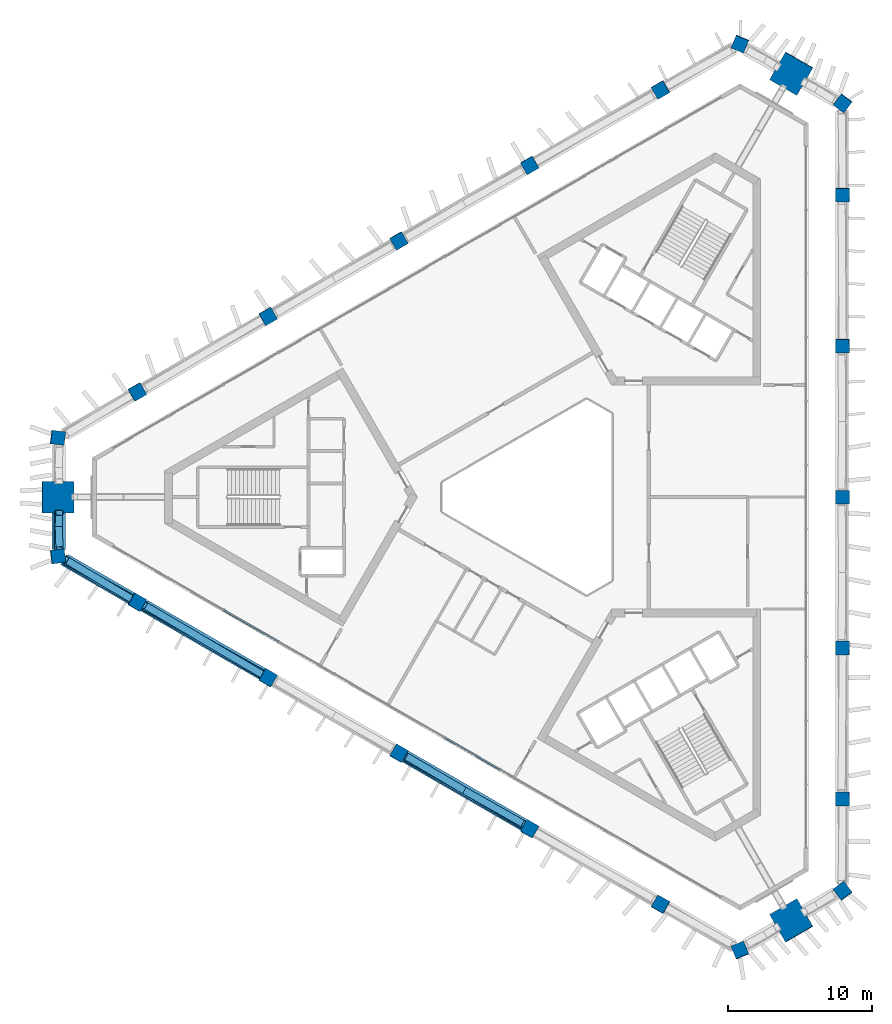
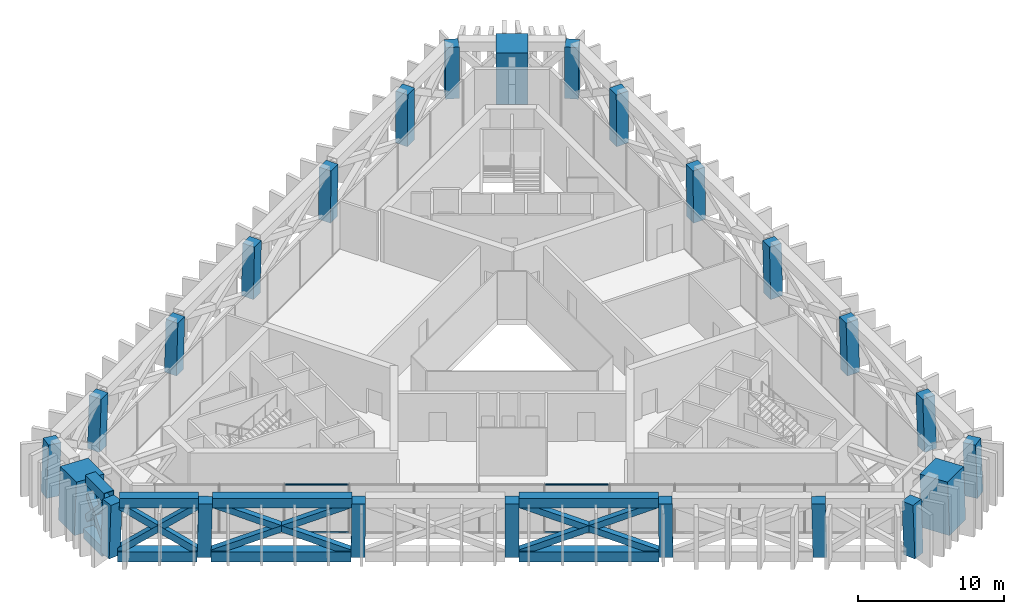
# One storey, part 1 of 15: 24 columns, 20 members, 1 element without a shape of its own.
"""IFC4 building model written with IfcOpenShell, lengths in metres."""

from ifc_helpers import new_model, si_unit, direction, frame, origin, origin_2d, place, context, subcontext, project, spatial, rectangle, hollow_rectangle, extrude, material, layer, layer_set, material_profile, profile_set, type_object, element, aggregate, save


model = new_model("IFC4")

# Units and contexts
model_context = context("Model", 3, precision=1e-05, world=origin(), true_north=direction((0.0, 1.0)))
body_context = subcontext(model_context, "Body", "Model", "MODEL_VIEW")
ifc_project = project(units=[si_unit("LENGTHUNIT", "METRE"), si_unit("AREAUNIT", "SQUARE_METRE"), si_unit("VOLUMEUNIT", "CUBIC_METRE"), si_unit("PLANEANGLEUNIT", "RADIAN"), si_unit("MASSUNIT", "GRAM", prefix="KILO")], contexts=[model_context])

# Site, building, storey
site_placement = place(None, origin())
site = spatial("IfcSite", under=ifc_project, at=site_placement, CompositionType="ELEMENT")
building_placement = place(site_placement, origin())
building = spatial("IfcBuilding", under=site, at=building_placement, Name="Jabali Bay Hotel Tower and Convention Centre", CompositionType="ELEMENT")
storey_placement = place(building_placement, frame((0.0, 0.0, 201.39990234375)))
storey = spatial("IfcBuildingStorey", under=building, at=storey_placement, Name="L49", CompositionType="ELEMENT", Elevation=201.39990234375)

# Columns
ifc_material_1 = material(Name="Concrete C60", Category="concrete")
ifc_material_profile_1 = material_profile(ifc_material_1, rectangle(XDim=0.949951171875, YDim=0.949951171875, at=origin_2d()), Name="Frame column 950")
ifc_profile_set_1 = profile_set([ifc_material_profile_1], Name="Concrete C60")
column_type_1 = type_object("IfcColumnType", Name="Frame column 950", PredefinedType="COLUMN", material=ifc_profile_set_1)
column_1_placement = place(storey_placement, frame((82.912841796875, 108.34326171875, 0.0), z_axis=(-0.008374576728, -0.028118611929, 0.999569512404), x_axis=(0.866035454693, 0.49952834229, 0.021307896754)))
element("IfcColumn", 1, at=column_1_placement, inside=storey, type_object=column_type_1, Name="FC4 F1.1 L49", PredefinedType="COLUMN", context=body_context, shape_type="SweptSolid", body=[
    extrude(rectangle(XDim=0.949951171875, YDim=0.949951171875, at=origin_2d()), origin(), (0.0, 0.0, 1.0), 4.402099609375),
])
column_2_placement = place(storey_placement, frame((73.80908203125, 103.087158203125, 0.0), z_axis=(0.000832053271, -0.022798259613, 0.999739739655), x_axis=(0.866596562917, 0.498895634194, 0.010655670932)))
element("IfcColumn", 2, at=column_2_placement, inside=storey, type_object=column_type_1, Name="FC4 F1.2 L49", PredefinedType="COLUMN", context=body_context, shape_type="SweptSolid", body=[
    extrude(rectangle(XDim=0.949951171875, YDim=0.949951171875, at=origin_2d()), origin(), (0.0, 0.0, 1.0), 4.4013671875),
])
column_3_placement = place(storey_placement, frame((64.705078125, 97.8310546875, 0.0), z_axis=(0.010096151254, -0.017474107939, 0.999796340902), x_axis=(-0.500171963961, 0.865690897347, 0.020181098047)))
element("IfcColumn", 3, at=column_3_placement, inside=storey, type_object=column_type_1, Name="FC4 F1.3 L49", PredefinedType="COLUMN", context=body_context, shape_type="SweptSolid", body=[
    extrude(rectangle(XDim=0.949951171875, YDim=0.949951171875, at=origin_2d()), origin(), (0.0, 0.0, 1.0), 4.401123046875),
])
column_4_placement = place(storey_placement, frame((55.601318359375, 92.574951171875, 0.0), z_axis=(0.019359087748, -0.012147966237, 0.999738792204), x_axis=(-0.500497912901, 0.865501850797, 0.020208548906)))
element("IfcColumn", 4, at=column_4_placement, inside=storey, type_object=column_type_1, Name="FC4 F1.4 L49", PredefinedType="COLUMN", context=body_context, shape_type="SweptSolid", body=[
    extrude(rectangle(XDim=0.949951171875, YDim=0.949951171875, at=origin_2d()), origin(), (0.0, 0.0, 1.0), 4.4013671875),
])
for number, where, z_axis, x_axis, name in (
    (5, (46.49755859375, 87.319091796875, 0.0), (0.028562275974, -0.006821669796, 0.999568737613), (-0.499616200342, 0.866011637616, 0.020186526916), "FC4 F1.5 L49"),
    (6, (46.49755859375, 72.680908203125, 0.0), (0.028562275974, 0.006821669796, 0.999568737613), (-0.865775865191, 0.49997730782, 0.021327046647), "FC4 F2.1 L49"),
):
    element("IfcColumn", number, at=place(storey_placement, frame(where, z_axis=z_axis, x_axis=x_axis)), inside=storey, type_object=column_type_1, Name=name, PredefinedType="COLUMN", context=body_context, shape_type="SweptSolid", body=[
        extrude(rectangle(XDim=0.949951171875, YDim=0.949951171875, at=origin_2d()), origin(), (0.0, 0.0, 1.0), 4.402099609375),
    ])
column_5_placement = place(storey_placement, frame((55.601318359375, 67.425048828125, 0.0), z_axis=(0.019359087748, 0.012147966237, 0.999738792204), x_axis=(-0.865521267736, 0.500758398016, 0.010675294528)))
element("IfcColumn", 7, at=column_5_placement, inside=storey, type_object=column_type_1, Name="FC4 F2.2 L49", PredefinedType="COLUMN", context=body_context, shape_type="SweptSolid", body=[
    extrude(rectangle(XDim=0.949951171875, YDim=0.949951171875, at=origin_2d()), origin(), (0.0, 0.0, 1.0), 4.4013671875),
])
column_6_placement = place(storey_placement, frame((64.705078125, 62.1689453125, 0.0), z_axis=(0.010096151254, 0.017474107939, 0.999796340902), x_axis=(-0.865867238205, 0.500273850809, 8.7352e-08)))
element("IfcColumn", 8, at=column_6_placement, inside=storey, type_object=column_type_1, Name="FC4 F2.3 L49", PredefinedType="COLUMN", context=body_context, shape_type="SweptSolid", body=[
    extrude(rectangle(XDim=0.949951171875, YDim=0.949951171875, at=origin_2d()), origin(), (0.0, 0.0, 1.0), 4.401123046875),
])
column_7_placement = place(storey_placement, frame((73.80908203125, 56.912841796875, 0.0), z_axis=(0.000832053271, 0.022798259613, 0.999739739655), x_axis=(-0.499008722197, -0.866362156111, 0.020172001165)))
element("IfcColumn", 9, at=column_7_placement, inside=storey, type_object=column_type_1, Name="FC4 F2.4 L49", PredefinedType="COLUMN", context=body_context, shape_type="SweptSolid", body=[
    extrude(rectangle(XDim=0.949951171875, YDim=0.949951171875, at=origin_2d()), origin(), (0.0, 0.0, 1.0), 4.4013671875),
])
for number, where, z_axis, x_axis, name in (
    (10, (82.912841796875, 51.65673828125, 0.0), (-0.008374576728, 0.028118611929, 0.999569512404), (-0.499912450015, -0.865841081788, 0.020168376436), "FC4 F2.5 L49"),
    (11, (95.589599609375, 58.975830078125, 0.0), (-0.020187718218, 0.021296933504, 0.999569355601), (0.000515138351, -0.999772747835, 0.02131167095), "FC4 F0.1 L49"),
):
    element("IfcColumn", number, at=place(storey_placement, frame(where, z_axis=z_axis, x_axis=x_axis)), inside=storey, type_object=column_type_1, Name=name, PredefinedType="COLUMN", context=body_context, shape_type="SweptSolid", body=[
        extrude(rectangle(XDim=0.949951171875, YDim=0.949951171875, at=origin_2d()), origin(), (0.0, 0.0, 1.0), 4.402099609375),
    ])
column_8_placement = place(storey_placement, frame((95.589599609375, 69.48779296875, 0.0), z_axis=(-0.020191140758, 0.010705742215, 0.999738818351), x_axis=(-0.00164635405, -0.999941668832, 0.010674663997)))
element("IfcColumn", 12, at=column_8_placement, inside=storey, type_object=column_type_1, Name="FC4 F0.2 L49", PredefinedType="COLUMN", context=body_context, shape_type="SweptSolid", body=[
    extrude(rectangle(XDim=0.949951171875, YDim=0.949951171875, at=origin_2d()), origin(), (0.0, 0.0, 1.0), 4.4013671875),
])
column_9_placement = place(storey_placement, frame((95.589599609375, 80.0, 0.0), z_axis=(-0.02019229794, 0.0, 0.999796114767), x_axis=(0.0, -1.0, 0.0)))
element("IfcColumn", 13, at=column_9_placement, inside=storey, type_object=column_type_1, Name="FC4 F0.3 L49", PredefinedType="COLUMN", context=body_context, shape_type="SweptSolid", body=[
    extrude(rectangle(XDim=0.949951171875, YDim=0.949951171875, at=origin_2d()), origin(), (0.0, 0.0, 1.0), 4.401123046875),
])
column_10_placement = place(storey_placement, frame((95.589599609375, 90.51220703125, 0.0), z_axis=(-0.020191140758, -0.010705742215, 0.999738818351), x_axis=(0.99979478262, 0.001430390409, 0.020207588427)))
element("IfcColumn", 14, at=column_10_placement, inside=storey, type_object=column_type_1, Name="FC4 F0.4 L49", PredefinedType="COLUMN", context=body_context, shape_type="SweptSolid", body=[
    extrude(rectangle(XDim=0.949951171875, YDim=0.949951171875, at=origin_2d()), origin(), (0.0, 0.0, 1.0), 4.4013671875),
])
column_11_placement = place(storey_placement, frame((95.589599609375, 101.024169921875, 0.0), z_axis=(-0.020187718218, -0.021296933504, 0.999569355601), x_axis=(0.99979607454, -0.000945150517, 0.020172159648)))
element("IfcColumn", 15, at=column_11_placement, inside=storey, type_object=column_type_1, Name="FC4 F0.5 L49", PredefinedType="COLUMN", context=body_context, shape_type="SweptSolid", body=[
    extrude(rectangle(XDim=0.949951171875, YDim=0.949951171875, at=origin_2d()), origin(), (0.0, 0.0, 1.0), 4.402099609375),
])
for number, where, z_axis, x_axis, name in (
    (16, (95.589599609375, 52.589599609375, 0.0), (-0.020183805084, 0.029000357304, 0.999375601708), (-0.799448268802, -0.600733560515, 0.001286383083), "FC4 V0 L49"),
    (17, (95.589599609375, 107.410400390625, 0.0), (-0.020183805084, -0.029000357304, 0.999375601708), (0.600395769074, 0.798923130562, 0.035309374534), "FC4 V1 L49"),
    (18, (88.443359375, 111.536376953125, 0.0), (-0.015026945815, -0.031994641089, 0.999375071653), (0.920007055918, -0.391899681887, 0.001287010803), "FC4 V2 L49"),
    (19, (40.967041015625, 84.1259765625, 0.0), (0.035210752589, -0.00299430022, 0.999375423486), (-0.992036236395, 0.12090077736, 0.035314412256), "FC4 V3 L49"),
    (20, (40.967041015625, 75.8740234375, 0.0), (0.035210752589, 0.00299430022, 0.999375423486), (-0.120931007526, 0.992660080894, 0.001286553038), "FC4 V4 L49"),
    (21, (88.443359375, 48.463623046875, 0.0), (-0.015026945815, 0.031994641089, 0.999375071653), (0.391613595218, -0.919451457271, 0.035324350838), "FC4 V5 L49"),
):
    element("IfcColumn", number, at=place(storey_placement, frame(where, z_axis=z_axis, x_axis=x_axis)), inside=storey, type_object=column_type_1, Name=name, PredefinedType="COLUMN", context=body_context, shape_type="SweptSolid", body=[
        extrude(rectangle(XDim=0.949951171875, YDim=0.949951171875, at=origin_2d()), origin(), (0.0, 0.0, 1.0), 4.40283203125),
    ])
ifc_material_2 = material(Name="Concrete C70", Category="concrete")
ifc_material_profile_2 = material_profile(ifc_material_2, rectangle(XDim=2.199951171875, YDim=2.199951171875, at=origin_2d()), Name="Mega column 2200")
ifc_profile_set_2 = profile_set([ifc_material_profile_2], Name="Concrete C70")
column_type_2 = type_object("IfcColumnType", Name="Mega column 2200", PredefinedType="COLUMN", material=ifc_profile_set_2)
for number, where, z_axis, x_axis, name in (
    (22, (92.0166015625, 109.473388671875, 0.0), (-0.017633169529, -0.030497620254, 0.999379290606), (0.500230591094, 0.865175313, 0.035228305505), "MC4 M1 L49"),
    (23, (40.967041015625, 80.0, 0.0), (0.035210910437, 0.0, 0.999379903633), (0.0, 1.0, 0.0), "MC4 M0 L49"),
    (24, (92.0166015625, 50.526611328125, 0.0), (-0.017633169529, 0.030497620254, 0.999379290606), (0.500227795827, -0.865176929173, 0.035228305505), "MC4 M2 L49"),
):
    element("IfcColumn", number, at=place(storey_placement, frame(where, z_axis=z_axis, x_axis=x_axis)), inside=storey, type_object=column_type_2, Name=name, PredefinedType="COLUMN", context=body_context, shape_type="SweptSolid", body=[
        extrude(rectangle(XDim=2.199951171875, YDim=2.199951171875, at=origin_2d()), origin(), (0.0, 0.0, 1.0), 4.40283203125),
    ])

# Members
ifc_material_3 = material(Name="Steel Q420GJC", Category="steel")
ifc_material_profile_3 = material_profile(ifc_material_3, hollow_rectangle(XDim=0.5, YDim=0.5, WallThickness=0.030029296875, at=origin_2d()), Name="Belt brace 500x500x30")
ifc_profile_set_3 = profile_set([ifc_material_profile_3], Name="Steel Q420GJC")
member_type_1 = type_object("IfcMemberType", Name="Belt brace 500x500x30", PredefinedType="BRACE", material=ifc_profile_set_3)
member_1_placement = place(storey_placement, frame((41.008544921875, 78.90087890625, 1.176025390625), z_axis=(0.025664835143, -0.682645231432, 0.730299119704), x_axis=(0.999294012939, 0.037569611448, 0.0)))
element("IfcMember", 25, at=member_1_placement, inside=storey, type_object=member_type_1, Name="Belt brace T4 M0-V4 x1", PredefinedType="BRACE", context=body_context, shape_type="SweptSolid", body=[
    extrude(hollow_rectangle(XDim=0.5, YDim=0.5, WallThickness=0.030029296875, at=origin_2d()), origin(), (0.0, 0.0, 1.0), 3.719482421875),
])
member_2_placement = place(storey_placement, frame((40.98486328125, 76.348876953125, 0.50634765625), z_axis=(0.025709058742, 0.683808628576, 0.729208340451), x_axis=(-0.999293986366, 0.037570318248, 0.0)))
element("IfcMember", 26, at=member_2_placement, inside=storey, type_object=member_type_1, Name="Belt brace T4 M0-V4 x2", PredefinedType="BRACE", context=body_context, shape_type="SweptSolid", body=[
    extrude(hollow_rectangle(XDim=0.5, YDim=0.5, WallThickness=0.030029296875, at=origin_2d()), origin(), (0.0, 0.0, 1.0), 3.73193359375),
])
member_3_placement = place(storey_placement, frame((41.381591796875, 75.642333984375, 0.322509765625), z_axis=(0.722084787714, -0.403807985927, 0.561722947594), x_axis=(0.488088462161, 0.872794164225, 0.0)))
element("IfcMember", 27, at=member_3_placement, inside=storey, type_object=member_type_1, Name="Belt brace T4 V4-F2.1 x1", PredefinedType="BRACE", context=body_context, shape_type="SweptSolid", body=[
    extrude(hollow_rectangle(XDim=0.5, YDim=0.5, WallThickness=0.030029296875, at=origin_2d()), origin(), (0.0, 0.0, 1.0), 6.68505859375),
])
member_4_placement = place(storey_placement, frame((46.089599609375, 72.92431640625, 0.333984375), z_axis=(-0.702600609543, 0.419054839885, 0.575104707543), x_axis=(-0.512242002327, -0.858841155891, 0.0)))
element("IfcMember", 28, at=member_4_placement, inside=storey, type_object=member_type_1, Name="Belt brace T4 V4-F2.1 x2", PredefinedType="BRACE", context=body_context, shape_type="SweptSolid", body=[
    extrude(hollow_rectangle(XDim=0.5, YDim=0.5, WallThickness=0.030029296875, at=origin_2d()), origin(), (0.0, 0.0, 1.0), 6.489501953125),
])
member_5_placement = place(storey_placement, frame((46.910888671875, 72.447021484375, 0.197998046875), z_axis=(0.803258748783, -0.454793790586, 0.384627079843), x_axis=(0.49269587417, 0.870201571807, 0.0)))
element("IfcMember", 29, at=member_5_placement, inside=storey, type_object=member_type_1, Name="Belt brace T4 F2.1-F2.2 x1", PredefinedType="BRACE", context=body_context, shape_type="SweptSolid", body=[
    extrude(hollow_rectangle(XDim=0.5, YDim=0.5, WallThickness=0.030029296875, at=origin_2d()), origin(), (0.0, 0.0, 1.0), 10.410400390625),
])
member_6_placement = place(storey_placement, frame((55.192138671875, 67.666015625, 0.20068359375), z_axis=(-0.79384591824, 0.467385958924, 0.389048870317), x_axis=(-0.50735700666, -0.861735961762, 0.0)))
element("IfcMember", 30, at=member_6_placement, inside=storey, type_object=member_type_1, Name="Belt brace T4 F2.1-F2.2 x2", PredefinedType="BRACE", context=body_context, shape_type="SweptSolid", body=[
    extrude(hollow_rectangle(XDim=0.5, YDim=0.5, WallThickness=0.030029296875, at=origin_2d()), origin(), (0.0, 0.0, 1.0), 10.2783203125),
])
member_7_placement = place(storey_placement, frame((65.11865234375, 61.934814453125, 0.19970703125), z_axis=(0.802221906236, -0.454114647082, 0.387582120924), x_axis=(0.492620217598, 0.87024440315, 0.0)))
element("IfcMember", 31, at=member_7_placement, inside=storey, type_object=member_type_1, Name="Belt brace T4 F2.3-F2.4 x1", PredefinedType="BRACE", context=body_context, shape_type="SweptSolid", body=[
    extrude(hollow_rectangle(XDim=0.5, YDim=0.5, WallThickness=0.030029296875, at=origin_2d()), origin(), (0.0, 0.0, 1.0), 10.322265625),
])
member_8_placement = place(storey_placement, frame((73.399658203125, 57.15380859375, 0.198974609375), z_axis=(-0.794953730723, 0.467966185622, 0.386077990986), x_axis=(-0.507299036611, -0.861770089672, 0.0)))
element("IfcMember", 32, at=member_8_placement, inside=storey, type_object=member_type_1, Name="Belt brace T4 F2.3-F2.4 x2", PredefinedType="BRACE", context=body_context, shape_type="SweptSolid", body=[
    extrude(hollow_rectangle(XDim=0.5, YDim=0.5, WallThickness=0.030029296875, at=origin_2d()), origin(), (0.0, 0.0, 1.0), 10.3662109375),
])
ifc_material_profile_4 = material_profile(ifc_material_3, hollow_rectangle(XDim=0.800048828125, YDim=0.800048828125, WallThickness=0.0400390625, at=origin_2d()), Name="Belt chord 800x800x40")
ifc_profile_set_4 = profile_set([ifc_material_profile_4], Name="Steel Q420GJC")
member_type_2 = type_object("IfcMemberType", Name="Belt chord 800x800x40", PredefinedType="CHORD", material=ifc_profile_set_4)
member_9_placement = place(storey_placement, frame((40.967041015625, 78.89990234375, 0.0), z_axis=(0.0, -1.0, 0.0), x_axis=(1.0, 0.0, 0.0)))
element("IfcMember", 33, at=member_9_placement, inside=storey, type_object=member_type_2, Name="Belt chord T4 M0-V4", PredefinedType="CHORD", context=body_context, shape_type="SweptSolid", body=[
    extrude(hollow_rectangle(XDim=0.800048828125, YDim=0.800048828125, WallThickness=0.0400390625, at=origin_2d()), origin(), (0.0, 0.0, 1.0), 2.55078125),
])
member_10_placement = place(storey_placement, frame((41.37841796875, 75.63671875, 0.0), z_axis=(0.86600683621, -0.500032158604, 0.0), x_axis=(0.500032158604, 0.86600683621, 0.0)))
element("IfcMember", 34, at=member_10_placement, inside=storey, type_object=member_type_2, Name="Belt chord T4 V4-F2.1", PredefinedType="CHORD", context=body_context, shape_type="SweptSolid", body=[
    extrude(hollow_rectangle(XDim=0.800048828125, YDim=0.800048828125, WallThickness=0.0400390625, at=origin_2d()), origin(), (0.0, 0.0, 1.0), 5.436279296875),
])
for number, where, z_axis, x_axis, name in (
    (35, (46.908935546875, 72.443603515625, 0.0), (0.866015937585, -0.50001639558, 0.0), (0.50001639558, 0.866015937585, 0.0), "Belt chord T4 F2.1-F2.2"),
    (36, (65.116455078125, 61.931396484375, 0.0), (0.866033376156, -0.499986191193, 0.0), (0.499986191193, 0.866033376156, 0.0), "Belt chord T4 F2.3-F2.4"),
):
    element("IfcMember", number, at=place(storey_placement, frame(where, z_axis=z_axis, x_axis=x_axis)), inside=storey, type_object=member_type_2, Name=name, PredefinedType="CHORD", context=body_context, shape_type="SweptSolid", body=[
        extrude(hollow_rectangle(XDim=0.800048828125, YDim=0.800048828125, WallThickness=0.0400390625, at=origin_2d()), origin(), (0.0, 0.0, 1.0), 9.562255859375),
    ])
member_11_placement = place(storey_placement, frame((41.1220703125, 78.89990234375, 4.400146484375), z_axis=(0.0, -1.0, 0.0), x_axis=(1.0, 0.0, 0.0)))
element("IfcMember", 37, at=member_11_placement, inside=storey, type_object=member_type_2, Name="Belt chord T4 M0-V4", PredefinedType="CHORD", context=body_context, shape_type="SweptSolid", body=[
    extrude(hollow_rectangle(XDim=0.800048828125, YDim=0.800048828125, WallThickness=0.0400390625, at=origin_2d()), origin(), (0.0, 0.0, 1.0), 2.53759765625),
])
member_12_placement = place(storey_placement, frame((41.533447265625, 75.649658203125, 4.400146484375), z_axis=(0.866020770008, -0.50000802585, 0.0), x_axis=(0.50000802585, 0.866020770008, 0.0)))
element("IfcMember", 38, at=member_12_placement, inside=storey, type_object=member_type_2, Name="Belt chord T4 V4-F2.1", PredefinedType="CHORD", context=body_context, shape_type="SweptSolid", body=[
    extrude(hollow_rectangle(XDim=0.800048828125, YDim=0.800048828125, WallThickness=0.0400390625, at=origin_2d()), origin(), (0.0, 0.0, 1.0), 5.40234375),
])
for number, where, z_axis, x_axis, name in (
    (39, (47.03466796875, 72.473388671875, 4.400146484375), (0.866028777211, -0.499994157009, 0.0), (0.499994157009, 0.866028777211, 0.0), "Belt chord T4 F2.1-F2.2"),
    (40, (65.160888671875, 62.00830078125, 4.400146484375), (0.866028777211, -0.499994157009, 0.0), (0.499994157009, 0.866028777211, 0.0), "Belt chord T4 F2.3-F2.4"),
):
    element("IfcMember", number, at=place(storey_placement, frame(where, z_axis=z_axis, x_axis=x_axis)), inside=storey, type_object=member_type_2, Name=name, PredefinedType="CHORD", context=body_context, shape_type="SweptSolid", body=[
        extrude(hollow_rectangle(XDim=0.800048828125, YDim=0.800048828125, WallThickness=0.0400390625, at=origin_2d()), origin(), (0.0, 0.0, 1.0), 9.51513671875),
    ])

# Curtain wall, members
ifc_material_4 = material(Name="Aluminium and glass", Category="aluminium")
ifc_layer = layer(ifc_material_4, 0.159912109375)
ifc_layer_set = layer_set([ifc_layer], Name="Aluminium and glass")
curtain_wall_type = type_object("IfcCurtainWallType", Name="CW3 curtain wall", PredefinedType="NOTDEFINED", material=ifc_layer_set)
curtain_wall_placement = place(storey_placement, origin())
curtain_wall = element("IfcCurtainWall", 41, at=curtain_wall_placement, inside=storey, type_object=curtain_wall_type, Name="CW3 curtain wall south-west face L49", PredefinedType="NOTDEFINED")
ifc_material_5 = material(Name="Aluminium", Category="aluminium")
ifc_material_profile_5 = material_profile(ifc_material_5, rectangle(XDim=0.1201171875, YDim=0.06005859375, at=origin_2d()), Name="CW3 transom 60 x 120")
ifc_profile_set_5 = profile_set([ifc_material_profile_5], Name="Aluminium")
member_type_3 = type_object("IfcMemberType", Name="CW3 transom 60 x 120", PredefinedType="USERDEFINED", material=ifc_profile_set_5)
member_13_placement = place(storey_placement, frame((71.726318359375, 61.059814453125, 0.030029296875), z_axis=(-0.866030693553, 0.49999083774, 0.0), x_axis=(-0.49999083774, -0.866030693553, 0.0)))
member_13 = element("IfcMember", 42, at=member_13_placement, type_object=member_type_3, Name="CW3 transom 5.1", ObjectType="TRANSOM", PredefinedType="USERDEFINED", context=body_context, shape_type="SweptSolid", body=[
    extrude(rectangle(XDim=0.1201171875, YDim=0.06005859375, at=origin_2d()), origin(), (0.0, 0.0, 1.0), 4.38330078125),
])
member_14_placement = place(storey_placement, frame((71.726318359375, 61.059814453125, 3.97021484375), z_axis=(-0.866030693553, 0.49999083774, 0.0), x_axis=(-0.49999083774, -0.866030693553, 0.0)))
member_14 = element("IfcMember", 43, at=member_14_placement, type_object=member_type_3, Name="CW3 transom 5.2", ObjectType="TRANSOM", PredefinedType="USERDEFINED", context=body_context, shape_type="SweptSolid", body=[
    extrude(rectangle(XDim=0.1201171875, YDim=0.06005859375, at=origin_2d()), origin(), (0.0, 0.0, 1.0), 4.38330078125),
])
member_15_placement = place(storey_placement, frame((56.334228515625, 69.9462890625, 0.030029296875), z_axis=(-0.866030693553, 0.49999083774, 0.0), x_axis=(-0.49999083774, -0.866030693553, 0.0)))
member_15 = element("IfcMember", 44, at=member_15_placement, type_object=member_type_3, Name="CW3 transom 9.1", ObjectType="TRANSOM", PredefinedType="USERDEFINED", context=body_context, shape_type="SweptSolid", body=[
    extrude(rectangle(XDim=0.1201171875, YDim=0.06005859375, at=origin_2d()), origin(), (0.0, 0.0, 1.0), 4.38330078125),
])
member_16_placement = place(storey_placement, frame((56.334228515625, 69.9462890625, 3.97021484375), z_axis=(-0.866030693553, 0.49999083774, 0.0), x_axis=(-0.49999083774, -0.866030693553, 0.0)))
member_16 = element("IfcMember", 45, at=member_16_placement, type_object=member_type_3, Name="CW3 transom 9.2", ObjectType="TRANSOM", PredefinedType="USERDEFINED", context=body_context, shape_type="SweptSolid", body=[
    extrude(rectangle(XDim=0.1201171875, YDim=0.06005859375, at=origin_2d()), origin(), (0.0, 0.0, 1.0), 4.38330078125),
])
aggregate(curtain_wall, [member_13, member_14, member_15, member_16])

save(model, "model.ifc")
